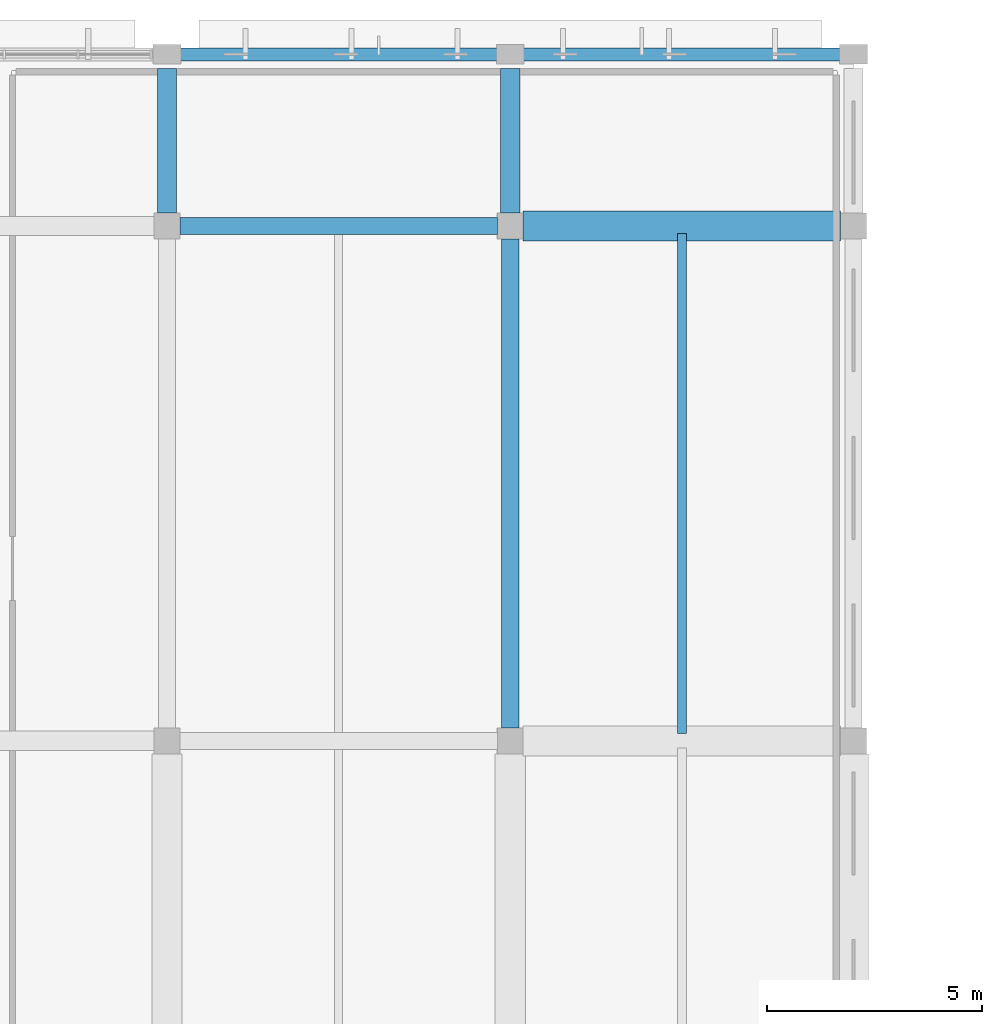
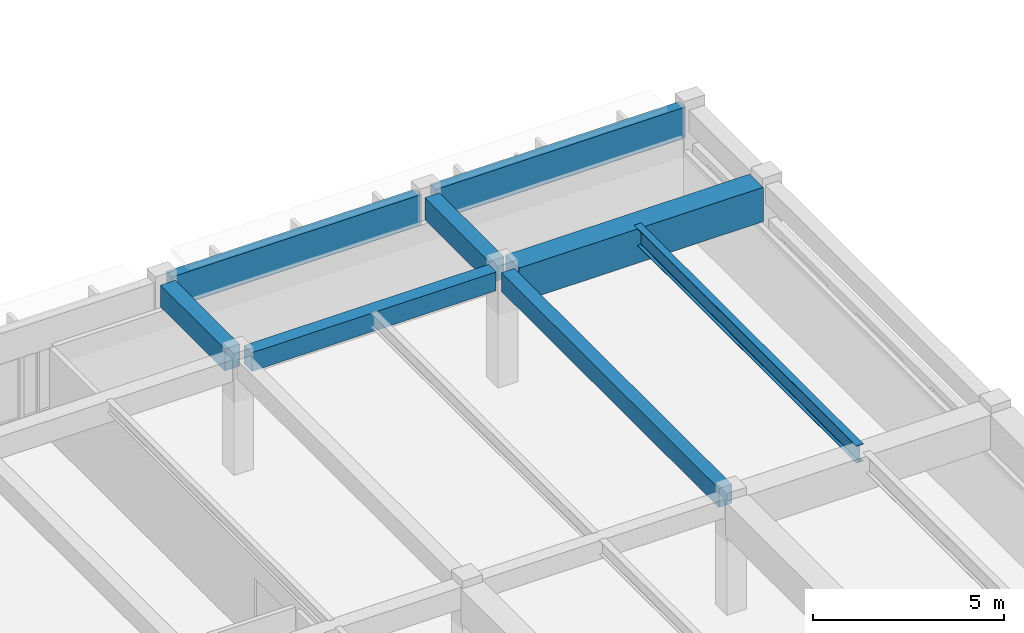
# One storey, part 23 of 98: 8 beams.
"""IFC4 building model written with IfcOpenShell, lengths in metres."""

from ifc_helpers import new_model, si_unit, direction, frame, origin, origin_2d, place, context, subcontext, project, spatial, rectangle, i_section, extrude, material, material_profile, profile_set, type_object, element, save


model = new_model("IFC4")

# Units and contexts
model_context = context("Model", 3, precision=1e-05, world=origin(), true_north=direction((0.0, 1.0)))
body_context = subcontext(model_context, "Body", "Model", "MODEL_VIEW")
ifc_project = project(units=[si_unit("LENGTHUNIT", "METRE"), si_unit("AREAUNIT", "SQUARE_METRE"), si_unit("VOLUMEUNIT", "CUBIC_METRE"), si_unit("PLANEANGLEUNIT", "RADIAN"), si_unit("MASSUNIT", "GRAM", prefix="KILO")], contexts=[model_context])

# Site, building, storey
site_placement = place(None, origin())
site = spatial("IfcSite", under=ifc_project, at=site_placement, CompositionType="ELEMENT")
building_placement = place(site_placement, origin())
building = spatial("IfcBuilding", under=site, at=building_placement, Name="Larkveld Mobility Hub", CompositionType="ELEMENT")
storey_placement = place(building_placement, frame((0.0, 0.0, 4.5)))
storey = spatial("IfcBuildingStorey", under=building, at=storey_placement, Name="L01", CompositionType="ELEMENT", Elevation=4.5)

# Beams
ifc_material_1 = material(Name="Concrete C40/50", Category="concrete")
ifc_material_profile_1 = material_profile(ifc_material_1, rectangle(XDim=0.39990234375, YDim=0.60009765625, at=origin_2d()), Name="RC BM 400x600")
ifc_profile_set_1 = profile_set([ifc_material_profile_1], Name="Concrete C40/50")
beam_type_1 = type_object("IfcBeamType", Name="BM-RC4060", PredefinedType="BEAM", material=ifc_profile_set_1)
beam_1_placement = place(storey_placement, frame((80.300048828125, 122.0, 3.360107421875), z_axis=(1.0, 0.0, 0.0), x_axis=(0.0, 1.0, 0.0)))
element("IfcBeam", 1, at=beam_1_placement, inside=storey, type_object=beam_type_1, Name="Primary E-W Girder L01-0338", PredefinedType="BEAM", context=body_context, shape_type="SweptSolid", body=[
    extrude(rectangle(XDim=0.39990234375, YDim=0.60009765625, at=origin_2d()), origin(), (0.0, 0.0, 1.0), 7.39990234375),
])
beam_2_placement = place(storey_placement, frame((88.0, 110.300048828125, 3.360107421875), z_axis=(0.0, 1.0, 0.0), x_axis=(-1.0, 0.0, 0.0)))
element("IfcBeam", 2, at=beam_2_placement, inside=storey, type_object=beam_type_1, Name="Primary N-S Girder L01-0386", PredefinedType="BEAM", context=body_context, shape_type="SweptSolid", body=[
    extrude(rectangle(XDim=0.39990234375, YDim=0.60009765625, at=origin_2d()), origin(), (0.0, 0.0, 1.0), 11.39990234375),
])
ifc_material_profile_2 = material_profile(ifc_material_1, rectangle(XDim=0.449951171875, YDim=0.699951171875, at=origin_2d()), Name="RC BM 450x700")
ifc_profile_set_2 = profile_set([ifc_material_profile_2], Name="Concrete C40/50")
beam_type_2 = type_object("IfcBeamType", Name="BM-RC4570", PredefinedType="BEAM", material=ifc_profile_set_2)
for number, where, z_axis, x_axis, name in (
    (3, (80.0, 122.300048828125, 3.31005859375), (0.0, 1.0, 0.0), (-1.0, 0.0, 0.0), "Primary N-S Girder L01-0382"),
    (4, (88.0, 122.300048828125, 3.31005859375), (0.0, 1.0, 0.0), (-1.0, 0.0, 0.0), "Primary N-S Girder L01-0387"),
):
    element("IfcBeam", number, at=place(storey_placement, frame(where, z_axis=z_axis, x_axis=x_axis)), inside=storey, type_object=beam_type_2, Name=name, PredefinedType="BEAM", context=body_context, shape_type="SweptSolid", body=[
        extrude(rectangle(XDim=0.449951171875, YDim=0.699951171875, at=origin_2d()), origin(), (0.0, 0.0, 1.0), 3.375),
    ])
ifc_material_profile_3 = material_profile(ifc_material_1, rectangle(XDim=0.699951171875, YDim=1.10009765625, at=origin_2d()), Name="RC BM 700x1100")
ifc_profile_set_3 = profile_set([ifc_material_profile_3], Name="Concrete C40/50")
beam_type_3 = type_object("IfcBeamType", Name="BM-RC70110", PredefinedType="BEAM", material=ifc_profile_set_3)
beam_3_placement = place(storey_placement, frame((88.300048828125, 122.0, 3.110107421875), z_axis=(1.0, 0.0, 0.0), x_axis=(0.0, 1.0, 0.0)))
element("IfcBeam", 5, at=beam_3_placement, inside=storey, type_object=beam_type_3, Name="Primary E-W Girder L01-0339", PredefinedType="BEAM", context=body_context, shape_type="SweptSolid", body=[
    extrude(rectangle(XDim=0.699951171875, YDim=1.10009765625, at=origin_2d()), origin(), (0.0, 0.0, 1.0), 7.39990234375),
])
ifc_material_2 = material(Name="Precast concrete C50/60", Category="concrete")
ifc_material_profile_4 = material_profile(ifc_material_2, rectangle(XDim=0.300048828125, YDim=0.97998046875, at=origin_2d()), Name="PC SP 300x980")
ifc_profile_set_4 = profile_set([ifc_material_profile_4], Name="Precast concrete C50/60")
beam_type_4 = type_object("IfcBeamType", Name="BM-SP3098", PredefinedType="SPANDREL", material=ifc_profile_set_4)
for number, where, z_axis, x_axis, name in (
    (6, (80.22509765625, 126.0, 3.169921875), (1.0, 0.0, 0.0), (0.0, 1.0, 0.0), "Primary E-W Girder L01-0348"),
    (7, (88.22509765625, 126.0, 3.169921875), (1.0, 0.0, 0.0), (0.0, 1.0, 0.0), "Primary E-W Girder L01-0349"),
):
    element("IfcBeam", number, at=place(storey_placement, frame(where, z_axis=z_axis, x_axis=x_axis)), inside=storey, type_object=beam_type_4, Name=name, PredefinedType="SPANDREL", context=body_context, shape_type="SweptSolid", body=[
        extrude(rectangle(XDim=0.300048828125, YDim=0.97998046875, at=origin_2d()), origin(), (0.0, 0.0, 1.0), 7.5498046875),
    ])
ifc_material_3 = material(Name="Steel S355JR", Category="steel")
ifc_material_profile_5 = material_profile(ifc_material_3, i_section(OverallWidth=0.2099609375, OverallDepth=0.550048828125, WebThickness=0.010986328125, FlangeThickness=0.01708984375, FilletRadius=0.02392578125, at=origin_2d()), Name="IPE 550")
ifc_profile_set_5 = profile_set([ifc_material_profile_5], Name="Steel S355JR")
beam_type_5 = type_object("IfcBeamType", Name="BM-STIPE550", PredefinedType="BEAM", material=ifc_profile_set_5)
beam_4_placement = place(storey_placement, frame((92.0, 110.169921875, 3.39501953125), z_axis=(0.0, 1.0, 0.0), x_axis=(-1.0, 0.0, 0.0)))
element("IfcBeam", 8, at=beam_4_placement, inside=storey, type_object=beam_type_5, Name="Bicycle Hall Secondary Beam L01-1199", PredefinedType="BEAM", context=body_context, shape_type="SweptSolid", body=[
    extrude(i_section(OverallWidth=0.2099609375, OverallDepth=0.550048828125, WebThickness=0.010986328125, FlangeThickness=0.01708984375, FilletRadius=0.02392578125, at=origin_2d()), origin(), (0.0, 0.0, 1.0), 11.66015625),
])

save(model, "model.ifc")
